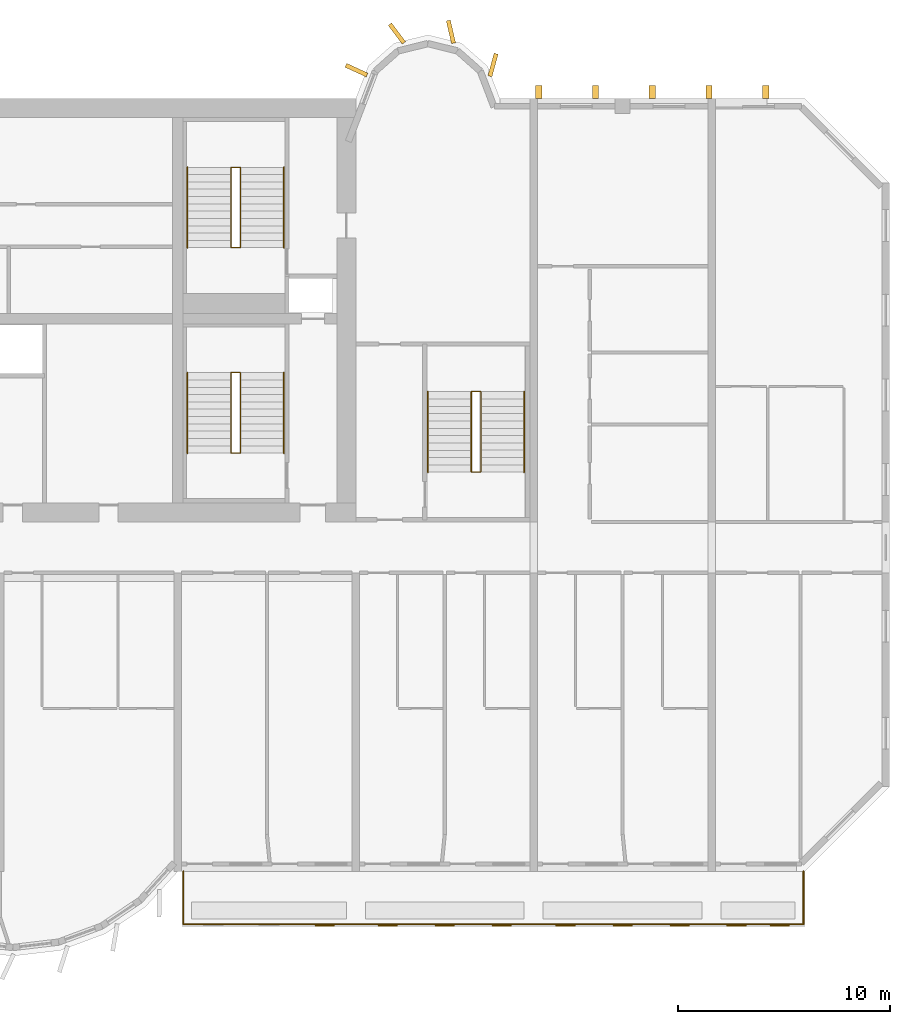
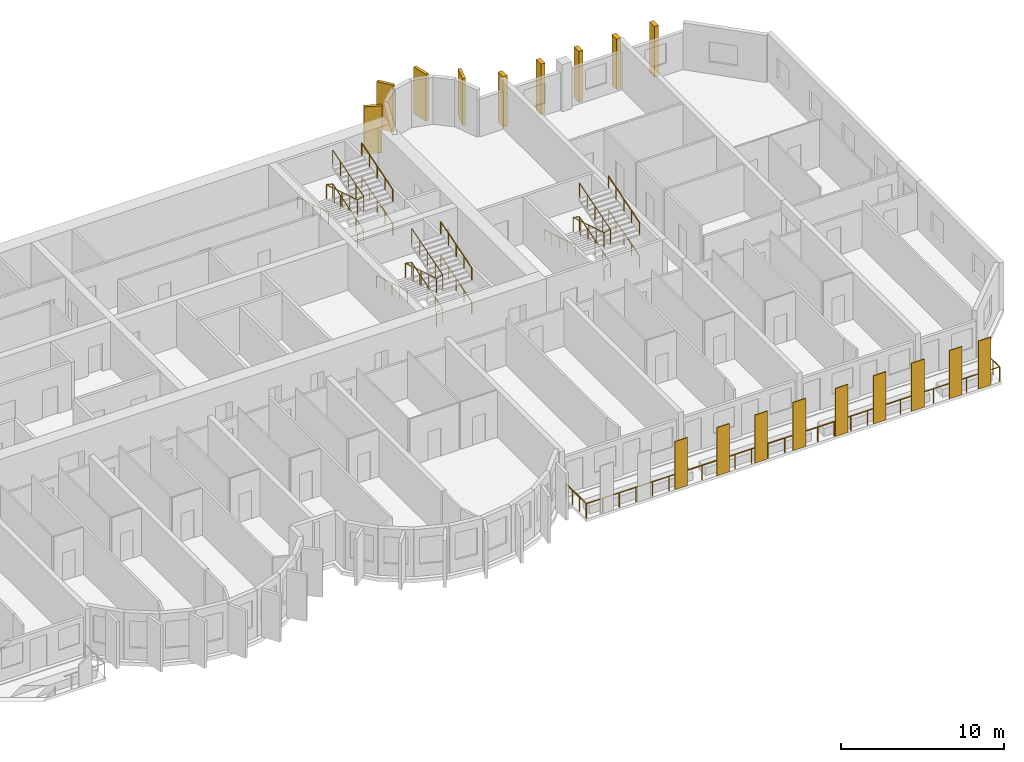
# One storey, part 13 of 14: 18 coverings, 13 railings.
"""IFC4 building model written with IfcOpenShell, lengths in metres."""

from ifc_helpers import new_model, si_unit, direction, frame, origin, origin_2d, place, context, subcontext, project, spatial, rectangle, circle, extrude, source, transform, mapped, material, layer, layer_set, material_profile, profile_set, type_object, element, save


model = new_model("IFC4")

# Units and contexts
model_context = context("Model", 3, precision=1e-05, world=origin(), true_north=direction((0.0, 1.0)))
body_context = subcontext(model_context, "Body", "Model", "MODEL_VIEW")
ifc_project = project(units=[si_unit("LENGTHUNIT", "METRE"), si_unit("AREAUNIT", "SQUARE_METRE"), si_unit("VOLUMEUNIT", "CUBIC_METRE"), si_unit("PLANEANGLEUNIT", "RADIAN"), si_unit("MASSUNIT", "GRAM", prefix="KILO")], contexts=[model_context])

# Site, building, storey
site_placement = place(None, origin())
site = spatial("IfcSite", under=ifc_project, at=site_placement, CompositionType="ELEMENT")
building_placement = place(site_placement, origin())
building = spatial("IfcBuilding", under=site, at=building_placement, Name="Vanashikhar Sky Hotel", CompositionType="ELEMENT")
storey_placement = place(building_placement, frame((0.0, 0.0, 129.39990234375)))
storey = spatial("IfcBuildingStorey", under=building, at=storey_placement, Name="L31", CompositionType="ELEMENT", Elevation=129.39990234375)

# Railing
ifc_material_1 = material(Name="Stainless steel 316", Category="steel")
railing_type_1 = type_object("IfcRailingType", Name="Balcony guard 1100", PredefinedType="GUARDRAIL", material=ifc_material_1)
shared_shape_1 = source(origin(), body_context, "Body", "SweptSolid", [
    extrude(circle(Radius=0.02392578125, at=origin_2d()), frame((0.0, 0.0, 1.076171875), z_axis=(0.0, -1.0, 0.0), x_axis=(1.0, 0.0, 0.0)), (0.0, 0.0, 1.0), 2.5),
    extrude(circle(Radius=0.02392578125, at=origin_2d()), frame((0.0, -2.5, 1.076171875), z_axis=(1.0, 0.0, 0.0), x_axis=(0.0, 1.0, 0.0)), (0.0, 0.0, 1.0), 29.280029296875),
    extrude(circle(Radius=0.02392578125, at=origin_2d()), frame((29.280029296875, -2.5, 1.076171875), z_axis=(0.0, 1.0, 0.0), x_axis=(-1.0, 0.0, 0.0)), (0.0, 0.0, 1.0), 2.5),
    extrude(circle(Radius=0.02099609375, at=origin_2d()), origin(), (0.0, 0.0, 1.0), 1.052001953125),
    extrude(circle(Radius=0.02099609375, at=origin_2d()), frame((0.0, -0.833251953125, 0.0)), (0.0, 0.0, 1.0), 1.052001953125),
    extrude(circle(Radius=0.02099609375, at=origin_2d()), frame((0.0, -1.666748046875, 0.0)), (0.0, 0.0, 1.0), 1.052001953125),
    extrude(circle(Radius=0.02099609375, at=origin_2d()), frame((0.0, -2.5, 0.0)), (0.0, 0.0, 1.0), 1.052001953125),
    extrude(circle(Radius=0.02099609375, at=origin_2d()), frame((1.171142578125, -2.5, 0.0)), (0.0, 0.0, 1.0), 1.052001953125),
    extrude(circle(Radius=0.02099609375, at=origin_2d()), frame((2.34228515625, -2.5, 0.0)), (0.0, 0.0, 1.0), 1.052001953125),
    extrude(circle(Radius=0.02099609375, at=origin_2d()), frame((3.513671875, -2.5, 0.0)), (0.0, 0.0, 1.0), 1.052001953125),
    extrude(circle(Radius=0.02099609375, at=origin_2d()), frame((4.684814453125, -2.5, 0.0)), (0.0, 0.0, 1.0), 1.052001953125),
    extrude(circle(Radius=0.02099609375, at=origin_2d()), frame((5.85595703125, -2.5, 0.0)), (0.0, 0.0, 1.0), 1.052001953125),
    extrude(circle(Radius=0.02099609375, at=origin_2d()), frame((7.027099609375, -2.5, 0.0)), (0.0, 0.0, 1.0), 1.052001953125),
    extrude(circle(Radius=0.02099609375, at=origin_2d()), frame((8.198486328125, -2.5, 0.0)), (0.0, 0.0, 1.0), 1.052001953125),
    extrude(circle(Radius=0.02099609375, at=origin_2d()), frame((9.36962890625, -2.5, 0.0)), (0.0, 0.0, 1.0), 1.052001953125),
    extrude(circle(Radius=0.02099609375, at=origin_2d()), frame((10.540771484375, -2.5, 0.0)), (0.0, 0.0, 1.0), 1.052001953125),
    extrude(circle(Radius=0.02099609375, at=origin_2d()), frame((11.7119140625, -2.5, 0.0)), (0.0, 0.0, 1.0), 1.052001953125),
    extrude(circle(Radius=0.02099609375, at=origin_2d()), frame((12.88330078125, -2.5, 0.0)), (0.0, 0.0, 1.0), 1.052001953125),
    extrude(circle(Radius=0.02099609375, at=origin_2d()), frame((14.054443359375, -2.5, 0.0)), (0.0, 0.0, 1.0), 1.052001953125),
    extrude(circle(Radius=0.02099609375, at=origin_2d()), frame((15.2255859375, -2.5, 0.0)), (0.0, 0.0, 1.0), 1.052001953125),
    extrude(circle(Radius=0.02099609375, at=origin_2d()), frame((16.396728515625, -2.5, 0.0)), (0.0, 0.0, 1.0), 1.052001953125),
    extrude(circle(Radius=0.02099609375, at=origin_2d()), frame((17.568115234375, -2.5, 0.0)), (0.0, 0.0, 1.0), 1.052001953125),
    extrude(circle(Radius=0.02099609375, at=origin_2d()), frame((18.7392578125, -2.5, 0.0)), (0.0, 0.0, 1.0), 1.052001953125),
    extrude(circle(Radius=0.02099609375, at=origin_2d()), frame((19.910400390625, -2.5, 0.0)), (0.0, 0.0, 1.0), 1.052001953125),
    extrude(circle(Radius=0.02099609375, at=origin_2d()), frame((21.08154296875, -2.5, 0.0)), (0.0, 0.0, 1.0), 1.052001953125),
    extrude(circle(Radius=0.02099609375, at=origin_2d()), frame((22.2529296875, -2.5, 0.0)), (0.0, 0.0, 1.0), 1.052001953125),
    extrude(circle(Radius=0.02099609375, at=origin_2d()), frame((23.424072265625, -2.5, 0.0)), (0.0, 0.0, 1.0), 1.052001953125),
    extrude(circle(Radius=0.02099609375, at=origin_2d()), frame((24.59521484375, -2.5, 0.0)), (0.0, 0.0, 1.0), 1.052001953125),
    extrude(circle(Radius=0.02099609375, at=origin_2d()), frame((25.766357421875, -2.5, 0.0)), (0.0, 0.0, 1.0), 1.052001953125),
    extrude(circle(Radius=0.02099609375, at=origin_2d()), frame((26.937744140625, -2.5, 0.0)), (0.0, 0.0, 1.0), 1.052001953125),
    extrude(circle(Radius=0.02099609375, at=origin_2d()), frame((28.10888671875, -2.5, 0.0)), (0.0, 0.0, 1.0), 1.052001953125),
    extrude(circle(Radius=0.02099609375, at=origin_2d()), frame((29.280029296875, -2.5, 0.0)), (0.0, 0.0, 1.0), 1.052001953125),
    extrude(circle(Radius=0.02099609375, at=origin_2d()), frame((29.280029296875, -1.666748046875, 0.0)), (0.0, 0.0, 1.0), 1.052001953125),
    extrude(circle(Radius=0.02099609375, at=origin_2d()), frame((29.280029296875, -0.833251953125, 0.0)), (0.0, 0.0, 1.0), 1.052001953125),
    extrude(circle(Radius=0.02099609375, at=origin_2d()), frame((29.280029296875, 0.0, 0.0)), (0.0, 0.0, 1.0), 1.052001953125),
])
railing_1_placement = place(storey_placement, frame((67.4599609375, 5.5, -0.0498046875)))
element("IfcRailing", 1, at=railing_1_placement, inside=storey, type_object=railing_type_1, Name="Balcony guard", PredefinedType="GUARDRAIL", context=body_context, shape_type="MappedRepresentation", body=[
    mapped(shared_shape_1, transform((0.0, 0.0, 0.0), scale=1.0)),
])

# Coverings
ifc_material_2 = material(Name="Terracotta", Category="masonry")
ifc_layer = layer(ifc_material_2, 0.06005859375)
ifc_layer_set = layer_set([ifc_layer], Name="Terracotta baguette screen")
covering_type_1 = type_object("IfcCoveringType", Name="Terracotta baguette screen", PredefinedType="CLADDING", material=ifc_layer_set)
shared_shape_2 = source(origin(), body_context, "Body", "SweptSolid", [
    extrude(rectangle(XDim=0.89990234375, YDim=0.06005859375, at=origin_2d()), origin(), (0.0, 0.0, 1.0), 3.60009765625),
])
for number, where, z_axis, x_axis, name in (
    (2, (74.13330078125, 2.929931640625, -0.050048828125), (0.0, 0.0, 1.0), (1.0, 0.0, 0.0), "Terracotta screen"),
    (3, (77.10009765625, 2.929931640625, -0.050048828125), (0.0, 0.0, 1.0), (1.0, 0.0, 0.0), "Terracotta screen"),
    (4, (79.800048828125, 2.929931640625, -0.050048828125), (0.0, 0.0, 1.0), (1.0, 0.0, 0.0), "Terracotta screen"),
    (5, (82.5, 2.929931640625, -0.050048828125), (0.0, 0.0, 1.0), (1.0, 0.0, 0.0), "Terracotta screen"),
    (6, (85.5, 2.929931640625, -0.050048828125), (0.0, 0.0, 1.0), (1.0, 0.0, 0.0), "Terracotta screen"),
    (7, (88.199951171875, 2.929931640625, -0.050048828125), (0.0, 0.0, 1.0), (1.0, 0.0, 0.0), "Terracotta screen"),
    (8, (90.89990234375, 2.929931640625, -0.050048828125), (0.0, 0.0, 1.0), (1.0, 0.0, 0.0), "Terracotta screen"),
    (9, (93.574951171875, 2.929931640625, -0.050048828125), (0.0, 0.0, 1.0), (1.0, 0.0, 0.0), "Terracotta screen"),
    (10, (95.625, 2.929931640625, -0.050048828125), (0.0, 0.0, 1.0), (1.0, 0.0, 0.0), "Terracotta screen"),
):
    element("IfcCovering", number, at=place(storey_placement, frame(where, z_axis=z_axis, x_axis=x_axis)), inside=storey, type_object=covering_type_1, Name=name, PredefinedType="CLADDING", context=body_context, shape_type="MappedRepresentation", body=[
        mapped(shared_shape_2, transform((0.0, 0.0, 0.0), scale=1.0)),
    ])
ifc_material_3 = material(Name="Concrete M60 dark", Category="concrete")
ifc_material_profile_1 = material_profile(ifc_material_3, rectangle(XDim=1.10009765625, YDim=0.199951171875, at=origin_2d()))
ifc_profile_set_1 = profile_set([ifc_material_profile_1], Name="Rear lobe fin 1100 x 200")
covering_type_2 = type_object("IfcCoveringType", Name="Rear lobe fin 1100 x 200", PredefinedType="CLADDING", material=ifc_profile_set_1)
shared_shape_3 = source(origin(), body_context, "Body", "SweptSolid", [
    extrude(rectangle(XDim=1.10009765625, YDim=0.199951171875, at=origin_2d()), origin(), (0.0, 0.0, 1.0), 3.52001953125),
])
for number, where, z_axis, x_axis, name in (
    (11, (75.63037109375, 43.33447265625, 0.0), (0.0, 0.0, 1.0), (-0.908004291068, 0.418960866193, 0.0), "Fin R2-1"),
    (12, (77.5380859375, 45.06640625, 0.0), (0.0, 0.0, 1.0), (-0.602065892195, 0.798446404874, 0.0), "Fin R2-2"),
    (13, (80.08984375, 45.1455078125, 0.0), (0.0, 0.0, 1.0), (-0.224644935864, 0.974440687159, 0.0), "Fin R2-3"),
    (14, (82.0791015625, 43.580078125, 0.0), (0.0, 0.0, 1.0), (0.262711264409, 0.964874495234, 0.0), "Fin R2-4"),
):
    element("IfcCovering", number, at=place(storey_placement, frame(where, z_axis=z_axis, x_axis=x_axis)), inside=storey, type_object=covering_type_2, Name=name, PredefinedType="CLADDING", context=body_context, shape_type="MappedRepresentation", body=[
        mapped(shared_shape_3, transform((0.0, 0.0, 0.0), scale=1.0)),
    ])
ifc_material_profile_2 = material_profile(ifc_material_3, rectangle(XDim=0.60009765625, YDim=0.300048828125, at=origin_2d()))
ifc_profile_set_2 = profile_set([ifc_material_profile_2], Name="Rear rib 600 x 300")
covering_type_3 = type_object("IfcCoveringType", Name="Rear rib 600 x 300", PredefinedType="CLADDING", material=ifc_profile_set_2)
shared_shape_4 = source(origin(), body_context, "Body", "SweptSolid", [
    extrude(rectangle(XDim=0.60009765625, YDim=0.300048828125, at=origin_2d()), origin(), (0.0, 0.0, 1.0), 3.7998046875),
])
for number, where, z_axis, x_axis, name in (
    (15, (84.239990234375, 42.300048828125, -0.27978515625), (0.0, 0.0, 1.0), (0.0, 1.0, 0.0), "Rear rib"),
    (16, (86.919921875, 42.300048828125, -0.27978515625), (0.0, 0.0, 1.0), (0.0, 1.0, 0.0), "Rear rib"),
    (17, (89.60009765625, 42.300048828125, -0.27978515625), (0.0, 0.0, 1.0), (0.0, 1.0, 0.0), "Rear rib"),
    (18, (92.280029296875, 42.300048828125, -0.27978515625), (0.0, 0.0, 1.0), (0.0, 1.0, 0.0), "Rear rib"),
    (19, (94.9599609375, 42.300048828125, -0.27978515625), (0.0, 0.0, 1.0), (0.0, 1.0, 0.0), "Rear rib"),
):
    element("IfcCovering", number, at=place(storey_placement, frame(where, z_axis=z_axis, x_axis=x_axis)), inside=storey, type_object=covering_type_3, Name=name, PredefinedType="CLADDING", context=body_context, shape_type="MappedRepresentation", body=[
        mapped(shared_shape_4, transform((0.0, 0.0, 0.0), scale=1.0)),
    ])

# Railings
ifc_material_4 = material(Name="Steel S355", Category="steel")
railing_type_2 = type_object("IfcRailingType", Name="Stair handrail 900", PredefinedType="HANDRAIL", material=ifc_material_4)
shared_shape_5 = source(origin(), body_context, "Body", "SweptSolid", [
    extrude(circle(Radius=0.02392578125, at=origin_2d()), frame((0.0, 0.0, 0.8759765625), z_axis=(0.0, 0.95635109408, 0.292220096591), x_axis=(-1.0, 0.0, 0.0)), (0.0, 0.0, 1.0), 3.973388671875),
    extrude(circle(Radius=0.02099609375, at=origin_2d()), origin(), (0.0, 0.0, 1.0), 0.851806640625),
    extrude(circle(Radius=0.02099609375, at=origin_2d()), frame((0.0, 0.949951171875, 0.290283203125)), (0.0, 0.0, 1.0), 0.851806640625),
    extrude(circle(Radius=0.02099609375, at=origin_2d()), frame((0.0, 1.89990234375, 0.58056640625)), (0.0, 0.0, 1.0), 0.851806640625),
    extrude(circle(Radius=0.02099609375, at=origin_2d()), frame((0.0, 2.85009765625, 0.870849609375)), (0.0, 0.0, 1.0), 0.851806640625),
    extrude(circle(Radius=0.02099609375, at=origin_2d()), frame((0.0, 3.800048828125, 1.1611328125)), (0.0, 0.0, 1.0), 0.851806640625),
])
for number, where, name in (
    (20, (72.199951171875, 25.25, 0.105712890625), "Exit stair 2 handrail"),
    (21, (72.199951171875, 25.25, 2.638916015625), "Exit stair 2 handrail"),
    (22, (72.199951171875, 34.949951171875, 0.105712890625), "Exit stair 6 handrail"),
    (23, (72.199951171875, 34.949951171875, 2.638916015625), "Exit stair 6 handrail"),
):
    element("IfcRailing", number, at=place(storey_placement, frame(where)), inside=storey, type_object=railing_type_2, Name=name, PredefinedType="HANDRAIL", context=body_context, shape_type="MappedRepresentation", body=[
        mapped(shared_shape_5, transform((0.0, 0.0, 0.0), scale=1.0)),
    ])
shared_shape_6 = source(origin(), body_context, "Body", "SweptSolid", [
    extrude(circle(Radius=0.02392578125, at=origin_2d()), frame((0.0, 0.0, 0.8759765625), z_axis=(0.0, -0.95635109408, 0.292220096591), x_axis=(1.0, 0.0, 0.0)), (0.0, 0.0, 1.0), 3.973388671875),
    extrude(circle(Radius=0.02099609375, at=origin_2d()), origin(), (0.0, 0.0, 1.0), 0.851806640625),
    extrude(circle(Radius=0.02099609375, at=origin_2d()), frame((0.0, -0.949951171875, 0.290283203125)), (0.0, 0.0, 1.0), 0.851806640625),
    extrude(circle(Radius=0.02099609375, at=origin_2d()), frame((0.0, -1.89990234375, 0.58056640625)), (0.0, 0.0, 1.0), 0.851806640625),
    extrude(circle(Radius=0.02099609375, at=origin_2d()), frame((0.0, -2.85009765625, 0.870849609375)), (0.0, 0.0, 1.0), 0.851806640625),
    extrude(circle(Radius=0.02099609375, at=origin_2d()), frame((0.0, -3.800048828125, 1.1611328125)), (0.0, 0.0, 1.0), 0.851806640625),
])
for number, where, name in (
    (24, (67.64990234375, 29.050048828125, 1.372314453125), "Exit stair 2 handrail"),
    (25, (67.64990234375, 38.75, 1.372314453125), "Exit stair 6 handrail"),
):
    element("IfcRailing", number, at=place(storey_placement, frame(where)), inside=storey, type_object=railing_type_2, Name=name, PredefinedType="HANDRAIL", context=body_context, shape_type="MappedRepresentation", body=[
        mapped(shared_shape_6, transform((0.0, 0.0, 0.0), scale=1.0)),
    ])
railing_type_3 = type_object("IfcRailingType", Name="Stair guard 1100", PredefinedType="GUARDRAIL", material=ifc_material_4)
shared_shape_7 = source(origin(), body_context, "Body", "SweptSolid", [
    extrude(circle(Radius=0.02392578125, at=origin_2d()), frame((0.0, 0.0, 1.076171875), z_axis=(0.973493315427, 0.0, 0.228715466945), x_axis=(0.0, 1.0, 0.0)), (0.0, 0.0, 1.0), 0.462158203125),
    extrude(circle(Radius=0.02392578125, at=origin_2d()), frame((0.449951171875, 0.0, 1.181640625), z_axis=(0.0, 0.95635109408, 0.292220096591), x_axis=(-1.0, 0.0, 0.0)), (0.0, 0.0, 1.0), 3.973388671875),
    extrude(circle(Radius=0.02392578125, at=origin_2d()), frame((0.449951171875, 3.800048828125, 2.3427734375), z_axis=(-0.973610808694, 0.0, 0.228214796178), x_axis=(0.0, -1.0, 0.0)), (0.0, 0.0, 1.0), 0.462158203125),
    extrude(circle(Radius=0.02392578125, at=origin_2d()), frame((0.0, 3.800048828125, 2.4482421875), z_axis=(0.0, -0.95635109408, 0.292220096591), x_axis=(1.0, 0.0, 0.0)), (0.0, 0.0, 1.0), 3.973388671875),
    extrude(circle(Radius=0.02392578125, at=origin_2d()), frame((0.0, 0.0, 3.609375), z_axis=(0.973610808694, 0.0, 0.228214796178), x_axis=(0.0, 1.0, 0.0)), (0.0, 0.0, 1.0), 0.462158203125),
    extrude(circle(Radius=0.02392578125, at=origin_2d()), frame((0.449951171875, 0.0, 3.71484375), z_axis=(0.0, 0.95635109408, 0.292220096591), x_axis=(-1.0, 0.0, 0.0)), (0.0, 0.0, 1.0), 3.973388671875),
    extrude(circle(Radius=0.02099609375, at=origin_2d()), origin(), (0.0, 0.0, 1.0), 1.052001953125),
    extrude(circle(Radius=0.02099609375, at=origin_2d()), frame((0.449951171875, 0.0, 0.105712890625)), (0.0, 0.0, 1.0), 1.052001953125),
    extrude(circle(Radius=0.02099609375, at=origin_2d()), frame((0.449951171875, 0.949951171875, 0.39599609375)), (0.0, 0.0, 1.0), 1.052001953125),
    extrude(circle(Radius=0.02099609375, at=origin_2d()), frame((0.449951171875, 1.89990234375, 0.686279296875)), (0.0, 0.0, 1.0), 1.052001953125),
    extrude(circle(Radius=0.02099609375, at=origin_2d()), frame((0.449951171875, 2.85009765625, 0.9765625)), (0.0, 0.0, 1.0), 1.052001953125),
    extrude(circle(Radius=0.02099609375, at=origin_2d()), frame((0.449951171875, 3.800048828125, 1.266845703125)), (0.0, 0.0, 1.0), 1.052001953125),
    extrude(circle(Radius=0.02099609375, at=origin_2d()), frame((0.0, 3.800048828125, 1.372314453125)), (0.0, 0.0, 1.0), 1.052001953125),
    extrude(circle(Radius=0.02099609375, at=origin_2d()), frame((0.0, 2.85009765625, 1.66259765625)), (0.0, 0.0, 1.0), 1.052001953125),
    extrude(circle(Radius=0.02099609375, at=origin_2d()), frame((0.0, 1.89990234375, 1.952880859375)), (0.0, 0.0, 1.0), 1.052001953125),
    extrude(circle(Radius=0.02099609375, at=origin_2d()), frame((0.0, 0.949951171875, 2.2431640625)), (0.0, 0.0, 1.0), 1.052001953125),
    extrude(circle(Radius=0.02099609375, at=origin_2d()), frame((0.0, 0.0, 2.533447265625)), (0.0, 0.0, 1.0), 1.052001953125),
    extrude(circle(Radius=0.02099609375, at=origin_2d()), frame((0.449951171875, 0.0, 2.638916015625)), (0.0, 0.0, 1.0), 1.052001953125),
    extrude(circle(Radius=0.02099609375, at=origin_2d()), frame((0.449951171875, 0.949951171875, 2.92919921875)), (0.0, 0.0, 1.0), 1.052001953125),
    extrude(circle(Radius=0.02099609375, at=origin_2d()), frame((0.449951171875, 1.89990234375, 3.219482421875)), (0.0, 0.0, 1.0), 1.052001953125),
    extrude(circle(Radius=0.02099609375, at=origin_2d()), frame((0.449951171875, 2.85009765625, 3.509765625)), (0.0, 0.0, 1.0), 1.052001953125),
    extrude(circle(Radius=0.02099609375, at=origin_2d()), frame((0.449951171875, 3.800048828125, 3.800048828125)), (0.0, 0.0, 1.0), 1.052001953125),
])
for number, where, name in (
    (26, (69.699951171875, 25.25, 0.0), "Exit stair 2 guard"),
    (27, (69.699951171875, 34.949951171875, 0.0), "Exit stair 6 guard"),
):
    element("IfcRailing", number, at=place(storey_placement, frame(where)), inside=storey, type_object=railing_type_3, Name=name, PredefinedType="GUARDRAIL", context=body_context, shape_type="MappedRepresentation", body=[
        mapped(shared_shape_7, transform((0.0, 0.0, 0.0), scale=1.0)),
    ])
shared_shape_8 = source(origin(), body_context, "Body", "SweptSolid", [
    extrude(circle(Radius=0.02392578125, at=origin_2d()), frame((0.0, 0.0, 0.8759765625), z_axis=(0.0, 0.956345846891, 0.292237268557), x_axis=(-1.0, 0.0, 0.0)), (0.0, 0.0, 1.0), 3.97314453125),
    extrude(circle(Radius=0.02099609375, at=origin_2d()), origin(), (0.0, 0.0, 1.0), 0.851806640625),
    extrude(circle(Radius=0.02099609375, at=origin_2d()), frame((0.0, 0.949951171875, 0.290283203125)), (0.0, 0.0, 1.0), 0.851806640625),
    extrude(circle(Radius=0.02099609375, at=origin_2d()), frame((0.0, 1.89990234375, 0.58056640625)), (0.0, 0.0, 1.0), 0.851806640625),
    extrude(circle(Radius=0.02099609375, at=origin_2d()), frame((0.0, 2.849853515625, 0.870849609375)), (0.0, 0.0, 1.0), 0.851806640625),
    extrude(circle(Radius=0.02099609375, at=origin_2d()), frame((0.0, 3.7998046875, 1.1611328125)), (0.0, 0.0, 1.0), 0.851806640625),
])
for number, where, name in (
    (28, (83.550048828125, 24.35009765625, 0.105712890625), "Exit stair 4 handrail"),
    (29, (83.550048828125, 24.35009765625, 2.638916015625), "Exit stair 4 handrail"),
):
    element("IfcRailing", number, at=place(storey_placement, frame(where)), inside=storey, type_object=railing_type_2, Name=name, PredefinedType="HANDRAIL", context=body_context, shape_type="MappedRepresentation", body=[
        mapped(shared_shape_8, transform((0.0, 0.0, 0.0), scale=1.0)),
    ])
shared_shape_9 = source(origin(), body_context, "Body", "SweptSolid", [
    extrude(circle(Radius=0.02392578125, at=origin_2d()), frame((0.0, 0.0, 0.8759765625), z_axis=(0.0, -0.956345846891, 0.292237268557), x_axis=(1.0, 0.0, 0.0)), (0.0, 0.0, 1.0), 3.97314453125),
    extrude(circle(Radius=0.02099609375, at=origin_2d()), origin(), (0.0, 0.0, 1.0), 0.851806640625),
    extrude(circle(Radius=0.02099609375, at=origin_2d()), frame((0.0, -0.949951171875, 0.290283203125)), (0.0, 0.0, 1.0), 0.851806640625),
    extrude(circle(Radius=0.02099609375, at=origin_2d()), frame((0.0, -1.89990234375, 0.58056640625)), (0.0, 0.0, 1.0), 0.851806640625),
    extrude(circle(Radius=0.02099609375, at=origin_2d()), frame((0.0, -2.849853515625, 0.870849609375)), (0.0, 0.0, 1.0), 0.851806640625),
    extrude(circle(Radius=0.02099609375, at=origin_2d()), frame((0.0, -3.7998046875, 1.1611328125)), (0.0, 0.0, 1.0), 0.851806640625),
])
railing_2_placement = place(storey_placement, frame((79.0, 28.14990234375, 1.372314453125)))
element("IfcRailing", 30, at=railing_2_placement, inside=storey, type_object=railing_type_2, Name="Exit stair 4 handrail", PredefinedType="HANDRAIL", context=body_context, shape_type="MappedRepresentation", body=[
    mapped(shared_shape_9, transform((0.0, 0.0, 0.0), scale=1.0)),
])
shared_shape_10 = source(origin(), body_context, "Body", "SweptSolid", [
    extrude(circle(Radius=0.02392578125, at=origin_2d()), frame((0.0, 0.0, 1.076171875), z_axis=(0.973493315427, 0.0, 0.228715466945), x_axis=(0.0, 1.0, 0.0)), (0.0, 0.0, 1.0), 0.462158203125),
    extrude(circle(Radius=0.02392578125, at=origin_2d()), frame((0.449951171875, 0.0, 1.181640625), z_axis=(0.0, 0.956345846891, 0.292237268557), x_axis=(-1.0, 0.0, 0.0)), (0.0, 0.0, 1.0), 3.97314453125),
    extrude(circle(Radius=0.02392578125, at=origin_2d()), frame((0.449951171875, 3.7998046875, 2.3427734375), z_axis=(-0.973610808694, 0.0, 0.228214796178), x_axis=(0.0, -1.0, 0.0)), (0.0, 0.0, 1.0), 0.462158203125),
    extrude(circle(Radius=0.02392578125, at=origin_2d()), frame((0.0, 3.7998046875, 2.4482421875), z_axis=(0.0, -0.956345846891, 0.292237268557), x_axis=(1.0, 0.0, 0.0)), (0.0, 0.0, 1.0), 3.97314453125),
    extrude(circle(Radius=0.02392578125, at=origin_2d()), frame((0.0, 0.0, 3.609375), z_axis=(0.973610808694, 0.0, 0.228214796178), x_axis=(0.0, 1.0, 0.0)), (0.0, 0.0, 1.0), 0.462158203125),
    extrude(circle(Radius=0.02392578125, at=origin_2d()), frame((0.449951171875, 0.0, 3.71484375), z_axis=(0.0, 0.956345846891, 0.292237268557), x_axis=(-1.0, 0.0, 0.0)), (0.0, 0.0, 1.0), 3.97314453125),
    extrude(circle(Radius=0.02099609375, at=origin_2d()), origin(), (0.0, 0.0, 1.0), 1.052001953125),
    extrude(circle(Radius=0.02099609375, at=origin_2d()), frame((0.449951171875, 0.0, 0.105712890625)), (0.0, 0.0, 1.0), 1.052001953125),
    extrude(circle(Radius=0.02099609375, at=origin_2d()), frame((0.449951171875, 0.949951171875, 0.39599609375)), (0.0, 0.0, 1.0), 1.052001953125),
    extrude(circle(Radius=0.02099609375, at=origin_2d()), frame((0.449951171875, 1.89990234375, 0.686279296875)), (0.0, 0.0, 1.0), 1.052001953125),
    extrude(circle(Radius=0.02099609375, at=origin_2d()), frame((0.449951171875, 2.849853515625, 0.9765625)), (0.0, 0.0, 1.0), 1.052001953125),
    extrude(circle(Radius=0.02099609375, at=origin_2d()), frame((0.449951171875, 3.7998046875, 1.266845703125)), (0.0, 0.0, 1.0), 1.052001953125),
    extrude(circle(Radius=0.02099609375, at=origin_2d()), frame((0.0, 3.7998046875, 1.372314453125)), (0.0, 0.0, 1.0), 1.052001953125),
    extrude(circle(Radius=0.02099609375, at=origin_2d()), frame((0.0, 2.849853515625, 1.66259765625)), (0.0, 0.0, 1.0), 1.052001953125),
    extrude(circle(Radius=0.02099609375, at=origin_2d()), frame((0.0, 1.89990234375, 1.952880859375)), (0.0, 0.0, 1.0), 1.052001953125),
    extrude(circle(Radius=0.02099609375, at=origin_2d()), frame((0.0, 0.949951171875, 2.2431640625)), (0.0, 0.0, 1.0), 1.052001953125),
    extrude(circle(Radius=0.02099609375, at=origin_2d()), frame((0.0, 0.0, 2.533447265625)), (0.0, 0.0, 1.0), 1.052001953125),
    extrude(circle(Radius=0.02099609375, at=origin_2d()), frame((0.449951171875, 0.0, 2.638916015625)), (0.0, 0.0, 1.0), 1.052001953125),
    extrude(circle(Radius=0.02099609375, at=origin_2d()), frame((0.449951171875, 0.949951171875, 2.92919921875)), (0.0, 0.0, 1.0), 1.052001953125),
    extrude(circle(Radius=0.02099609375, at=origin_2d()), frame((0.449951171875, 1.89990234375, 3.219482421875)), (0.0, 0.0, 1.0), 1.052001953125),
    extrude(circle(Radius=0.02099609375, at=origin_2d()), frame((0.449951171875, 2.849853515625, 3.509765625)), (0.0, 0.0, 1.0), 1.052001953125),
    extrude(circle(Radius=0.02099609375, at=origin_2d()), frame((0.449951171875, 3.7998046875, 3.800048828125)), (0.0, 0.0, 1.0), 1.052001953125),
])
railing_3_placement = place(storey_placement, frame((81.050048828125, 24.35009765625, 0.0)))
element("IfcRailing", 31, at=railing_3_placement, inside=storey, type_object=railing_type_3, Name="Exit stair 4 guard", PredefinedType="GUARDRAIL", context=body_context, shape_type="MappedRepresentation", body=[
    mapped(shared_shape_10, transform((0.0, 0.0, 0.0), scale=1.0)),
])

save(model, "model.ifc")
